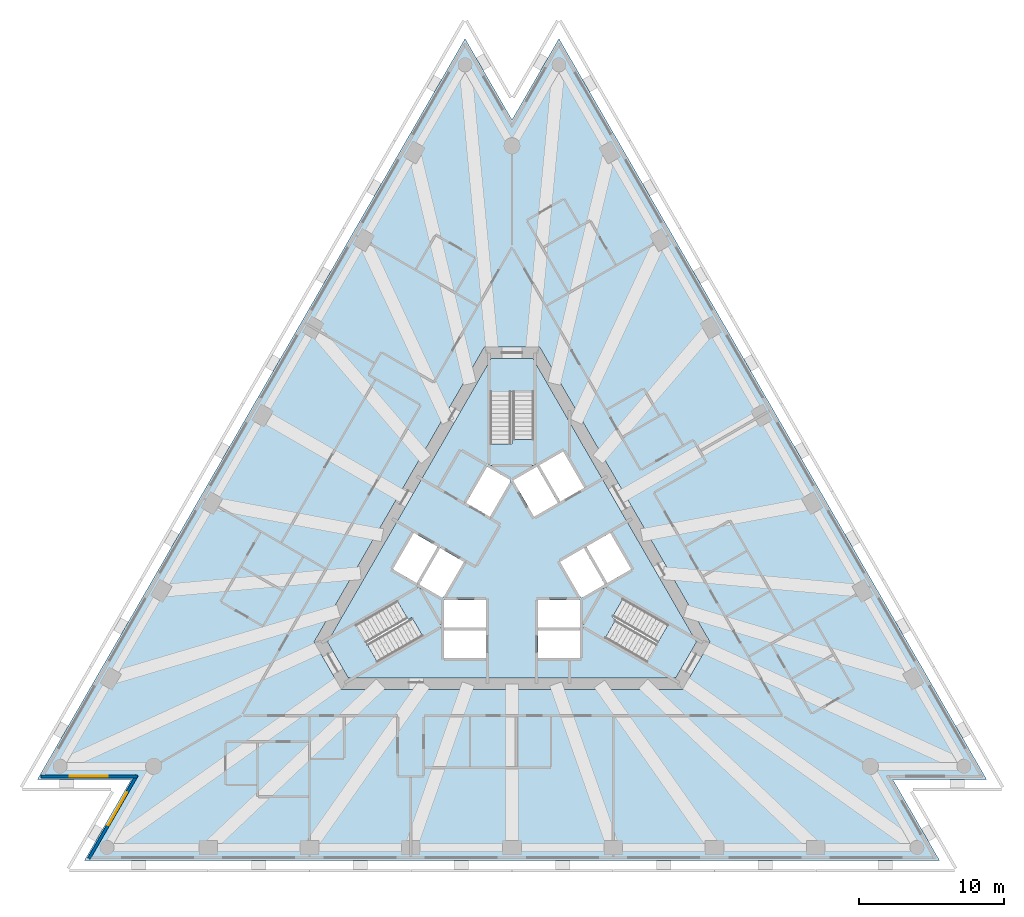
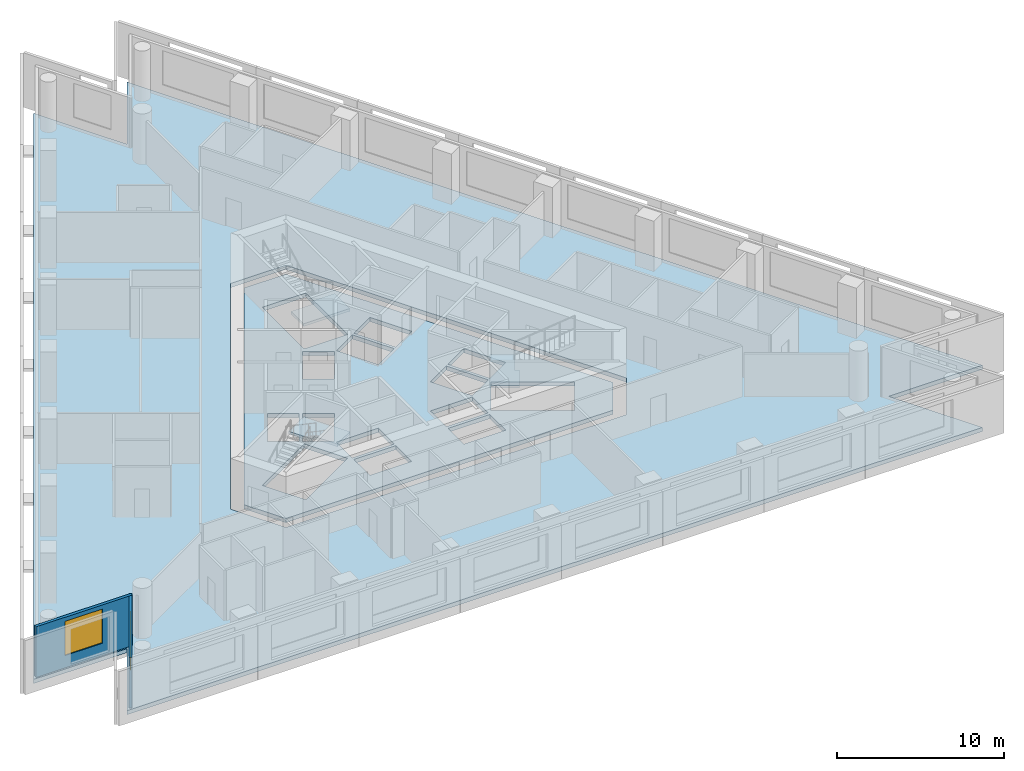
# One storey, part 2 of 10: 5 slabs, 2 walls, 2 windows, 2 openings, 3 elements without a shape of their own.
"""IFC4 building model written with IfcOpenShell, lengths in metres."""

from ifc_helpers import new_model, si_unit, direction, frame, frame_2d, origin, place, context, subcontext, project, spatial, polyline, rectangle, outline, extrude, material, layer, layer_set, layer_usage, type_object, element, fill, aggregate, save


model = new_model("IFC4")

# Units and contexts
model_context = context("Model", 3, precision=1e-05, world=origin(), true_north=direction((0.0, 1.0)))
body_context = subcontext(model_context, "Body", "Model", "MODEL_VIEW")
ifc_project = project(units=[si_unit("LENGTHUNIT", "METRE"), si_unit("AREAUNIT", "SQUARE_METRE"), si_unit("VOLUMEUNIT", "CUBIC_METRE"), si_unit("PLANEANGLEUNIT", "RADIAN"), si_unit("MASSUNIT", "GRAM", prefix="KILO")], contexts=[model_context])

# Site, building, storey
site_placement = place(None, origin())
site = spatial("IfcSite", under=ifc_project, at=site_placement, CompositionType="ELEMENT")
building_placement = place(site_placement, origin())
building = spatial("IfcBuilding", under=site, at=building_placement, Name="Triada Interchange Tower", CompositionType="ELEMENT")
storey_placement = place(building_placement, frame((0.0, 0.0, 104.300048828125)))
storey = spatial("IfcBuildingStorey", under=building, at=storey_placement, Name="L23", CompositionType="ELEMENT", Elevation=104.300048828125)

# Slabs
ifc_material_1 = material(Name="Concrete C50/60", Category="concrete")
ifc_layer_1 = layer(ifc_material_1, 0.300048828125)
ifc_layer_set_1 = layer_set([ifc_layer_1], Name="Floor slab 300")
slab_type_1 = type_object("IfcSlabType", Name="Floor slab 300", PredefinedType="FLOOR", material=ifc_layer_set_1)
slab_1_placement = place(storey_placement, frame((0.0, 0.0, -0.300048828125)))
element("IfcSlab", 1, at=slab_1_placement, inside=storey, type_object=slab_type_1, Name="Floor slab L23", PredefinedType="FLOOR", context=body_context, shape_type="SweptSolid", body=[
    extrude(outline(polyline([(-3.2451171875, 36.012939453125), (-32.81103515625, -15.196044921875), (-26.321044921875, -15.196044921875), (-29.56591796875, -20.81689453125), (29.56591796875, -20.81689453125), (26.321044921875, -15.196044921875), (32.81103515625, -15.196044921875), (3.2451171875, 36.012939453125), (0.0, 30.39306640625), (-3.2451171875, 36.012939453125)]), holes=[polyline([(1.905029296875, 14.699951171875), (-1.905029296875, 14.699951171875), (-13.68310546875, -5.699951171875), (-11.778076171875, -9.0), (11.778076171875, -9.0), (13.68310546875, -5.699951171875), (1.905029296875, 14.699951171875)])]), origin(), (0.0, 0.0, 1.0), 0.300048828125),
])
slab_2_placement = place(storey_placement, frame((0.0, 0.0, -0.300048828125)))
element("IfcSlab", 2, at=slab_2_placement, inside=storey, type_object=slab_type_1, Name="Core floor slab L23 1", PredefinedType="FLOOR", context=body_context, shape_type="SweptSolid", body=[
    extrude(outline(polyline([(12.759033203125, -5.699951171875), (11.31591796875, -8.199951171875), (-11.31591796875, -8.199951171875), (-12.759033203125, -5.699951171875), (-1.443115234375, 13.89990234375), (1.443115234375, 13.89990234375), (12.759033203125, -5.699951171875)]), holes=[polyline([(9.2958984375, -7.09912109375), (10.7958984375, -4.5009765625), (6.466064453125, -2.0009765625), (4.966064453125, -4.59912109375), (9.2958984375, -7.09912109375)]), polyline([(6.7890625, 1.841064453125), (5.14404296875, 0.89111328125), (6.593994140625, -1.6201171875), (8.239013671875, -0.669921875), (6.7890625, 1.841064453125)]), polyline([(4.77490234375, -2.669921875), (6.419921875, -1.719970703125), (4.969970703125, 0.791015625), (3.9150390625, 0.181884765625), (3.324951171875, -0.158935546875), (4.77490234375, -2.669921875)]), polyline([(1.89404296875, 6.52001953125), (3.343994140625, 4.009033203125), (4.989013671875, 4.958984375), (3.5390625, 7.469970703125), (1.89404296875, 6.52001953125)]), polyline([(4.699951171875, -6.800048828125), (4.699951171875, -4.89990234375), (1.800048828125, -4.89990234375), (1.800048828125, -6.800048828125), (4.699951171875, -6.800048828125)]), polyline([(4.699951171875, -2.800048828125), (1.800048828125, -2.800048828125), (1.800048828125, -4.699951171875), (4.699951171875, -4.699951171875), (4.699951171875, -2.800048828125)]), polyline([(0.074951171875, 5.469970703125), (1.52490234375, 2.958984375), (3.169921875, 3.908935546875), (1.719970703125, 6.419921875), (0.074951171875, 5.469970703125)]), polyline([(1.5, 11.60009765625), (-1.5, 11.60009765625), (-1.5, 6.60009765625), (1.5, 6.60009765625), (1.5, 11.60009765625)]), polyline([(-1.52490234375, 2.958984375), (-0.074951171875, 5.469970703125), (-1.719970703125, 6.419921875), (-3.169921875, 3.908935546875), (-1.52490234375, 2.958984375)]), polyline([(-1.800048828125, -2.800048828125), (-4.699951171875, -2.800048828125), (-4.699951171875, -4.699951171875), (-1.800048828125, -4.699951171875), (-1.800048828125, -2.800048828125)]), polyline([(-4.699951171875, -6.800048828125), (-1.800048828125, -6.800048828125), (-1.800048828125, -4.89990234375), (-4.699951171875, -4.89990234375), (-4.699951171875, -6.800048828125)]), polyline([(-4.77490234375, -2.669921875), (-3.324951171875, -0.158935546875), (-4.969970703125, 0.791015625), (-6.419921875, -1.719970703125), (-4.77490234375, -2.669921875)]), polyline([(-10.7958984375, -4.5009765625), (-9.2958984375, -7.09912109375), (-4.966064453125, -4.59912109375), (-6.466064453125, -2.0009765625), (-10.7958984375, -4.5009765625)]), polyline([(-6.593994140625, -1.6201171875), (-5.14404296875, 0.89111328125), (-6.7890625, 1.841064453125), (-8.239013671875, -0.669921875), (-6.593994140625, -1.6201171875)])]), origin(), (0.0, 0.0, 1.0), 0.300048828125),
])

# Stair, slab
ifc_material_2 = material(Name="Concrete C35/45", Category="concrete")
stair_type = type_object("IfcStairType", Name="HALF TURN STAIR 1400", PredefinedType="HALF_TURN_STAIR", material=ifc_material_2)
stair_1_placement = place(storey_placement, origin())
stair_1 = element("IfcStair", 3, at=stair_1_placement, inside=storey, type_object=stair_type, Name="Exit stair S23-1", PredefinedType="HALF_TURN_STAIR")
ifc_layer_2 = layer(ifc_material_2, 0.199951171875)
ifc_layer_set_2 = layer_set([ifc_layer_2], Name="STAIR LANDING 200")
slab_type_2 = type_object("IfcSlabType", Name="STAIR LANDING 200", PredefinedType="LANDING", material=ifc_layer_set_2)
slab_3_placement = place(storey_placement, frame((0.0, 0.0, 1.719970703125)))
slab_3 = element("IfcSlab", 4, at=slab_3_placement, type_object=slab_type_2, Name="S23-1 landing 1", PredefinedType="LANDING", context=body_context, shape_type="SweptSolid", body=[
    extrude(outline(polyline([(1.60009765625, 6.5), (1.60009765625, 8.300048828125), (0.0, 8.300048828125), (0.0, 8.0), (-1.60009765625, 8.0), (-1.60009765625, 6.5), (1.60009765625, 6.5)])), origin(), (0.0, 0.0, 1.0), 0.199951171875),
])
aggregate(stair_1, [slab_3])

stair_2_placement = place(storey_placement, origin())
stair_2 = element("IfcStair", 5, at=stair_2_placement, inside=storey, type_object=stair_type, Name="Exit stair S23-2", PredefinedType="HALF_TURN_STAIR")
slab_4_placement = place(storey_placement, frame((0.0, 0.0, 1.719970703125)))
slab_4 = element("IfcSlab", 6, at=slab_4_placement, type_object=slab_type_2, Name="S23-2 landing 1", PredefinedType="LANDING", context=body_context, shape_type="SweptSolid", body=[
    extrude(outline(polyline([(-6.428955078125, -1.864013671875), (-7.988037109375, -2.763916015625), (-7.18798828125, -4.14990234375), (-6.927978515625, -4.0), (-6.1279296875, -5.385986328125), (-4.8291015625, -4.635986328125), (-6.428955078125, -1.864013671875)])), origin(), (0.0, 0.0, 1.0), 0.199951171875),
])
aggregate(stair_2, [slab_4])

stair_3_placement = place(storey_placement, origin())
stair_3 = element("IfcStair", 7, at=stair_3_placement, inside=storey, type_object=stair_type, Name="Exit stair S23-3", PredefinedType="HALF_TURN_STAIR")
slab_5_placement = place(storey_placement, frame((0.0, 0.0, 1.719970703125)))
slab_5 = element("IfcSlab", 8, at=slab_5_placement, type_object=slab_type_2, Name="S23-3 landing 1", PredefinedType="LANDING", context=body_context, shape_type="SweptSolid", body=[
    extrude(outline(polyline([(4.8291015625, -4.635986328125), (6.387939453125, -5.535888671875), (7.18798828125, -4.14990234375), (6.927978515625, -4.0), (7.72802734375, -2.614013671875), (6.428955078125, -1.864013671875), (4.8291015625, -4.635986328125)])), origin(), (0.0, 0.0, 1.0), 0.199951171875),
])
aggregate(stair_3, [slab_5])

# Wall, opening, window
ifc_material_3 = material(Name="Cement board")
ifc_layer_3 = layer(ifc_material_3, 0.02001953125, Name="Cement board cladding")
ifc_material_4 = material(Name="Sheathing board")
ifc_layer_4 = layer(ifc_material_4, 0.014892578125, Name="Sheathing board")
ifc_material_5 = material(Name="Mineral wool")
ifc_layer_5 = layer(ifc_material_5, 0.14990234375, Name="Mineral wool between steel studs")
ifc_material_6 = material(Name="Gypsum board")
ifc_layer_6 = layer(ifc_material_6, 0.014892578125, Name="Plasterboard lining")
ifc_layer_set_3 = layer_set([ifc_layer_3, ifc_layer_4, ifc_layer_5, ifc_layer_6], Name="External wall 200")
ifc_layer_usage = layer_usage(ifc_layer_set_3, "AXIS2", "POSITIVE", -0.10009765625)
wall_type = type_object("IfcWallType", Name="External wall 200", PredefinedType="ELEMENTEDWALL", material=ifc_layer_set_3)
wall_1_placement = place(storey_placement, frame((-32.554931640625, -14.99609375, 0.0), z_axis=(0.0, 0.0, 1.0), x_axis=(1.0, 0.0, 0.0)))
wall_1 = element("IfcWall", 9, at=wall_1_placement, inside=storey, type_object=wall_type, material=ifc_layer_usage, Name="External wall L23 SW-1", PredefinedType="ELEMENTEDWALL", context=body_context, shape_type="SweptSolid", body=[
    extrude(rectangle(XDim=6.64990234375, YDim=0.199951171875, at=frame_2d((3.324951171875, 0.0))), origin(), (0.0, 0.0, 1.0), 3.699951171875),
])
opening_1_placement = place(wall_1_placement, frame((1.989990234375, 0.0, 0.89990234375)))
opening_1 = element("IfcOpeningElement", 10, at=opening_1_placement, cuts=wall_1, Name="Opening WB09", PredefinedType="OPENING", context=body_context, shape_type="SweptSolid", body=[
    extrude(rectangle(XDim=2.60009765625, YDim=2.5, at=frame_2d((1.300048828125, 1.25))), frame((0.0, 0.10986328125, 0.0), z_axis=(0.0, -1.0, 0.0), x_axis=(1.0, 0.0, 0.0)), (0.0, 0.0, 1.0), 0.219970703125),
])
ifc_material_7 = material(Name="Double glazed aluminium window", Category="aluminium")
window_type = type_object("IfcWindowType", Name="Ribbon window B pocket", PartitioningType="SINGLE_PANEL", PredefinedType="WINDOW", material=ifc_material_7)
window_1_placement = place(opening_1_placement, origin())
window_1 = element("IfcWindow", 11, at=window_1_placement, inside=storey, type_object=window_type, Name="Window L23 SW-1 1", OverallHeight=2.5, OverallWidth=2.60009765625, PartitioningType="SINGLE_PANEL", PredefinedType="WINDOW", context=body_context, shape_type="SweptSolid", body=[
    extrude(rectangle(XDim=2.60009765625, YDim=2.5, at=frame_2d((1.300048828125, 1.25))), frame((0.0, 0.030029296875, 0.0), z_axis=(0.0, -1.0, 0.0), x_axis=(1.0, 0.0, 0.0)), (0.0, 0.0, 1.0), 0.06005859375),
])
fill(opening_1, window_1)

wall_2_placement = place(storey_placement, frame((-25.929931640625, -14.91796875, 0.0), z_axis=(0.0, 0.0, 1.0), x_axis=(-0.499933237632, -0.866063945624, 0.0)))
wall_2 = element("IfcWall", 12, at=wall_2_placement, inside=storey, type_object=wall_type, material=ifc_layer_usage, Name="External wall L23 SW-2", PredefinedType="ELEMENTEDWALL", context=body_context, shape_type="SweptSolid", body=[
    extrude(rectangle(XDim=6.65087890625, YDim=0.199951171875, at=frame_2d((3.325439453125, 0.0))), origin(), (0.0, 0.0, 1.0), 3.699951171875),
])
opening_2_placement = place(wall_2_placement, frame((1.389892578125, 0.0, 0.89990234375)))
opening_2 = element("IfcOpeningElement", 13, at=opening_2_placement, cuts=wall_2, Name="Opening WB10", PredefinedType="OPENING", context=body_context, shape_type="SweptSolid", body=[
    extrude(rectangle(XDim=2.60009765625, YDim=2.5, at=frame_2d((1.300048828125, 1.25))), frame((0.0, 0.10986328125, 0.0), z_axis=(0.0, -1.0, 0.0), x_axis=(1.0, 0.0, 0.0)), (0.0, 0.0, 1.0), 0.219970703125),
])
window_2_placement = place(opening_2_placement, origin())
window_2 = element("IfcWindow", 14, at=window_2_placement, inside=storey, type_object=window_type, Name="Window L23 SW-2 1", OverallHeight=2.5, OverallWidth=2.60009765625, PartitioningType="SINGLE_PANEL", PredefinedType="WINDOW", context=body_context, shape_type="SweptSolid", body=[
    extrude(rectangle(XDim=2.60009765625, YDim=2.5, at=frame_2d((1.300048828125, 1.25))), frame((0.0, 0.030029296875, 0.0), z_axis=(0.0, -1.0, 0.0), x_axis=(1.0, 0.0, 0.0)), (0.0, 0.0, 1.0), 0.06005859375),
])
fill(opening_2, window_2)

save(model, "model.ifc")
